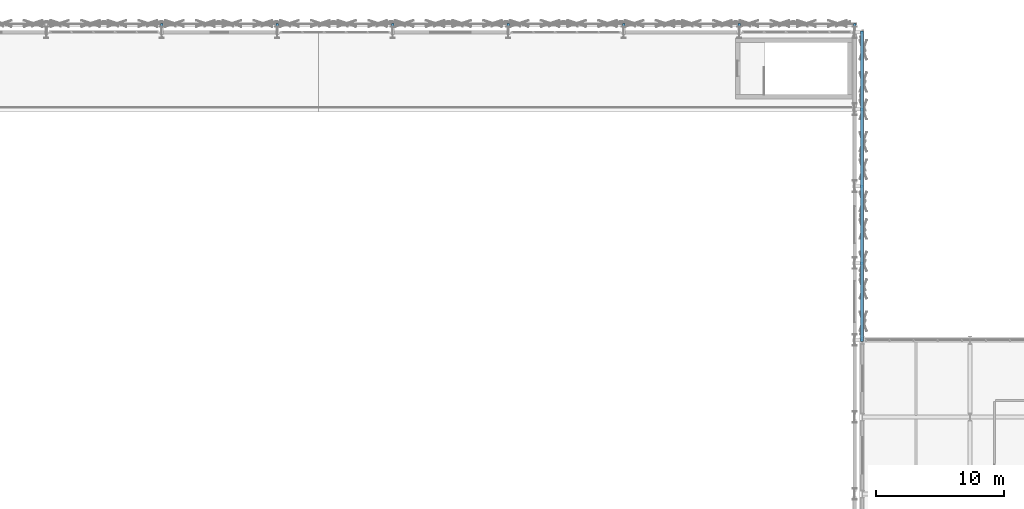
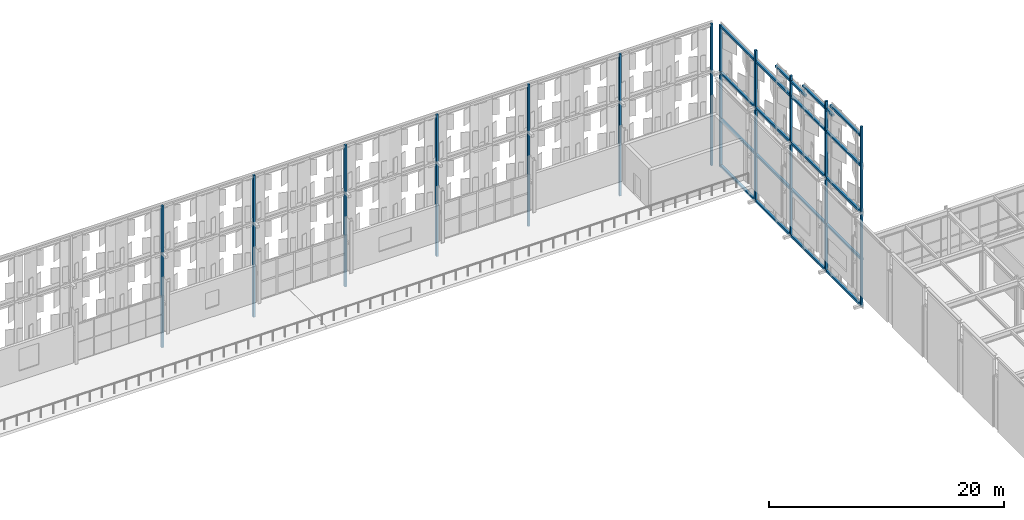
# One storey, part 172 of 210: 19 discrete accessories.
"""IFC4 building model written with IfcOpenShell, lengths in metres."""

from ifc_helpers import new_model, si_unit, direction, frame, origin, origin_2d, place, context, subcontext, project, spatial, rectangle, extrude, material, type_object, element, save


model = new_model("IFC4")

# Units and contexts
model_context = context("Model", 3, precision=1e-05, world=origin(), true_north=direction((0.0, 1.0)))
body_context = subcontext(model_context, "Body", "Model", "MODEL_VIEW")
ifc_project = project(units=[si_unit("LENGTHUNIT", "METRE"), si_unit("AREAUNIT", "SQUARE_METRE"), si_unit("VOLUMEUNIT", "CUBIC_METRE"), si_unit("PLANEANGLEUNIT", "RADIAN"), si_unit("MASSUNIT", "GRAM", prefix="KILO")], contexts=[model_context])

# Site, building, storey
site_placement = place(None, origin())
site = spatial("IfcSite", under=ifc_project, at=site_placement, CompositionType="ELEMENT")
building_placement = place(site_placement, origin())
building = spatial("IfcBuilding", under=site, at=building_placement, Name="Kaldris Quays Convention Centre", CompositionType="ELEMENT")
storey_placement = place(building_placement, frame((0.0, 0.0, 6.0)))
storey = spatial("IfcBuildingStorey", under=building, at=storey_placement, Name="L01", CompositionType="ELEMENT", Elevation=6.0)

# Discrete accessories
ifc_material = material(Name="Steel S355J2", Category="steel")
discrete_accessory_type = type_object("IfcDiscreteAccessoryType", Name="SCREEN OUTRIGGER BRACKET BK01", PredefinedType="BRACKET", material=ifc_material)
for number, where, z_axis, x_axis, name in (
    (1, (92.0, 140.56005859375, -1.97021484375), (0.0, 0.0, 1.0), (1.0, 0.0, 0.0), "V1N Screen Vertical Carrier Mullion 128"),
    (2, (101.0, 140.56005859375, -1.97021484375), (0.0, 0.0, 1.0), (1.0, 0.0, 0.0), "V1N Screen Vertical Carrier Mullion 132"),
    (3, (110.0, 140.56005859375, -1.97021484375), (0.0, 0.0, 1.0), (1.0, 0.0, 0.0), "V1N Screen Vertical Carrier Mullion 136"),
    (4, (119.0, 140.56005859375, -1.97021484375), (0.0, 0.0, 1.0), (1.0, 0.0, 0.0), "V1N Screen Vertical Carrier Mullion 140"),
    (5, (128.0, 140.56005859375, -1.97021484375), (0.0, 0.0, 1.0), (1.0, 0.0, 0.0), "V1N Screen Vertical Carrier Mullion 144"),
    (6, (137.0, 140.56005859375, -1.97021484375), (0.0, 0.0, 1.0), (1.0, 0.0, 0.0), "V1N Screen Vertical Carrier Mullion 148"),
    (7, (146.0, 140.56005859375, -1.97021484375), (0.0, 0.0, 1.0), (1.0, 0.0, 0.0), "V1N Screen Vertical Carrier Mullion 152"),
):
    element("IfcDiscreteAccessory", number, at=place(storey_placement, frame(where, z_axis=z_axis, x_axis=x_axis)), inside=storey, type_object=discrete_accessory_type, Name=name, PredefinedType="BRACKET", context=body_context, shape_type="SweptSolid", body=[
        extrude(rectangle(XDim=0.199951171875, YDim=0.219970703125, at=origin_2d()), origin(), (0.0, 0.0, 1.0), 14.739990234375),
    ])
discrete_accessory_1_placement = place(storey_placement, frame((146.56005859375, 116.0, -1.97021484375), z_axis=(0.0, 0.0, 1.0), x_axis=(0.0, 1.0, 0.0)))
element("IfcDiscreteAccessory", 8, at=discrete_accessory_1_placement, inside=storey, type_object=discrete_accessory_type, Name="V1E Screen Vertical Carrier Mullion 240", PredefinedType="BRACKET", context=body_context, shape_type="SweptSolid", body=[
    extrude(rectangle(XDim=0.199951171875, YDim=0.219970703125, at=origin_2d()), origin(), (0.0, 0.0, 1.0), 18.739990234375),
])
discrete_accessory_2_placement = place(storey_placement, frame((146.56005859375, 122.0, -1.97021484375), z_axis=(0.0, 0.0, 1.0), x_axis=(0.0, 1.0, 0.0)))
element("IfcDiscreteAccessory", 9, at=discrete_accessory_2_placement, inside=storey, type_object=discrete_accessory_type, Name="V1E Screen Vertical Carrier Mullion 244", PredefinedType="BRACKET", context=body_context, shape_type="SweptSolid", body=[
    extrude(rectangle(XDim=0.199951171875, YDim=0.219970703125, at=origin_2d()), origin(), (0.0, 0.0, 1.0), 17.739990234375),
])
discrete_accessory_3_placement = place(storey_placement, frame((146.56005859375, 128.0, -1.97021484375), z_axis=(0.0, 0.0, 1.0), x_axis=(0.0, 1.0, 0.0)))
element("IfcDiscreteAccessory", 10, at=discrete_accessory_3_placement, inside=storey, type_object=discrete_accessory_type, Name="V1E Screen Vertical Carrier Mullion 248", PredefinedType="BRACKET", context=body_context, shape_type="SweptSolid", body=[
    extrude(rectangle(XDim=0.199951171875, YDim=0.219970703125, at=origin_2d()), origin(), (0.0, 0.0, 1.0), 16.739990234375),
])
discrete_accessory_4_placement = place(storey_placement, frame((146.56005859375, 134.0, -1.97021484375), z_axis=(0.0, 0.0, 1.0), x_axis=(0.0, 1.0, 0.0)))
element("IfcDiscreteAccessory", 11, at=discrete_accessory_4_placement, inside=storey, type_object=discrete_accessory_type, Name="V1E Screen Vertical Carrier Mullion 252", PredefinedType="BRACKET", context=body_context, shape_type="SweptSolid", body=[
    extrude(rectangle(XDim=0.199951171875, YDim=0.219970703125, at=origin_2d()), origin(), (0.0, 0.0, 1.0), 15.739990234375),
])
discrete_accessory_5_placement = place(storey_placement, frame((146.56005859375, 140.0, -1.97021484375), z_axis=(0.0, 0.0, 1.0), x_axis=(0.0, 1.0, 0.0)))
element("IfcDiscreteAccessory", 12, at=discrete_accessory_5_placement, inside=storey, type_object=discrete_accessory_type, Name="V1E Screen Vertical Carrier Mullion 256", PredefinedType="BRACKET", context=body_context, shape_type="SweptSolid", body=[
    extrude(rectangle(XDim=0.199951171875, YDim=0.219970703125, at=origin_2d()), origin(), (0.0, 0.0, 1.0), 14.739990234375),
])
for number, where, z_axis, x_axis, name in (
    (13, (146.580078125, 128.0, -1.9599609375), (0.0, 0.0, 1.0), (0.0, 1.0, 0.0), "V1E Screen Carrier Rail 260"),
    (14, (146.580078125, 128.0, 2.873046875), (0.0, 0.0, 1.0), (0.0, 1.0, 0.0), "V1E Screen Carrier Rail 261"),
    (15, (146.580078125, 128.0, 7.70703125), (0.0, 0.0, 1.0), (0.0, 1.0, 0.0), "V1E Screen Carrier Rail 262"),
    (16, (146.580078125, 128.0, 12.5400390625), (0.0, 0.0, 1.0), (0.0, 1.0, 0.0), "V1E Screen Carrier Rail 263"),
):
    element("IfcDiscreteAccessory", number, at=place(storey_placement, frame(where, z_axis=z_axis, x_axis=x_axis)), inside=storey, type_object=discrete_accessory_type, Name=name, PredefinedType="BRACKET", context=body_context, shape_type="SweptSolid", body=[
        extrude(rectangle(XDim=24.199951171875, YDim=0.219970703125, at=origin_2d()), origin(), (0.0, 0.0, 1.0), 0.219970703125),
    ])
for number, where, z_axis, x_axis, name in (
    (17, (146.580078125, 118.72998046875, 15.6240234375), (0.0, 0.0, 1.0), (0.0, 1.0, 0.0), "V1E Gable Screen Cap Rail 264"),
    (18, (146.580078125, 123.389892578125, 14.84814453125), (0.0, 0.0, 1.0), (0.0, 1.0, 0.0), "V1E Gable Screen Cap Rail 265"),
    (19, (146.580078125, 128.050048828125, 14.07080078125), (0.0, 0.0, 1.0), (0.0, 1.0, 0.0), "V1E Gable Screen Cap Rail 266"),
):
    element("IfcDiscreteAccessory", number, at=place(storey_placement, frame(where, z_axis=z_axis, x_axis=x_axis)), inside=storey, type_object=discrete_accessory_type, Name=name, PredefinedType="BRACKET", context=body_context, shape_type="SweptSolid", body=[
        extrude(rectangle(XDim=5.110107421875, YDim=0.219970703125, at=origin_2d()), origin(), (0.0, 0.0, 1.0), 0.219970703125),
    ])

save(model, "model.ifc")
